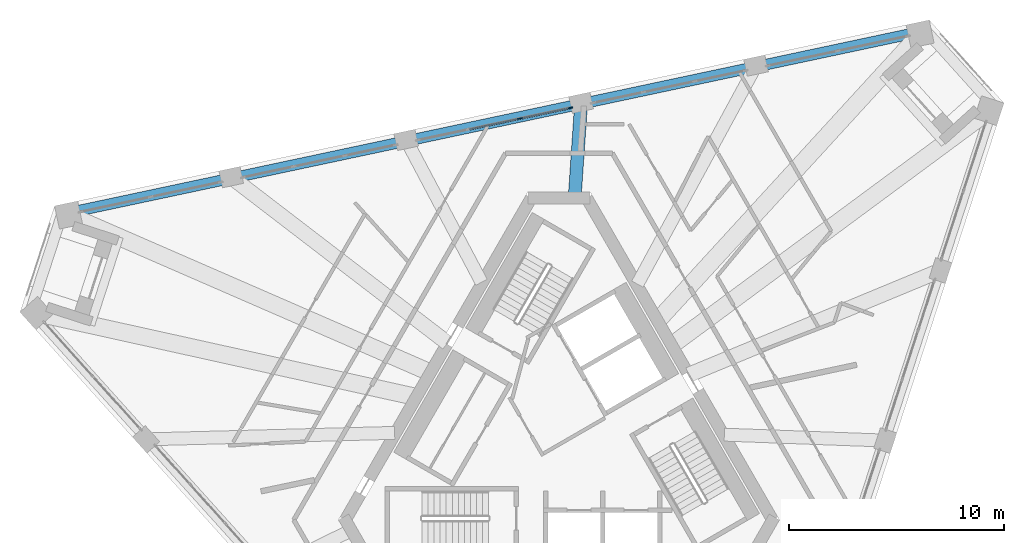
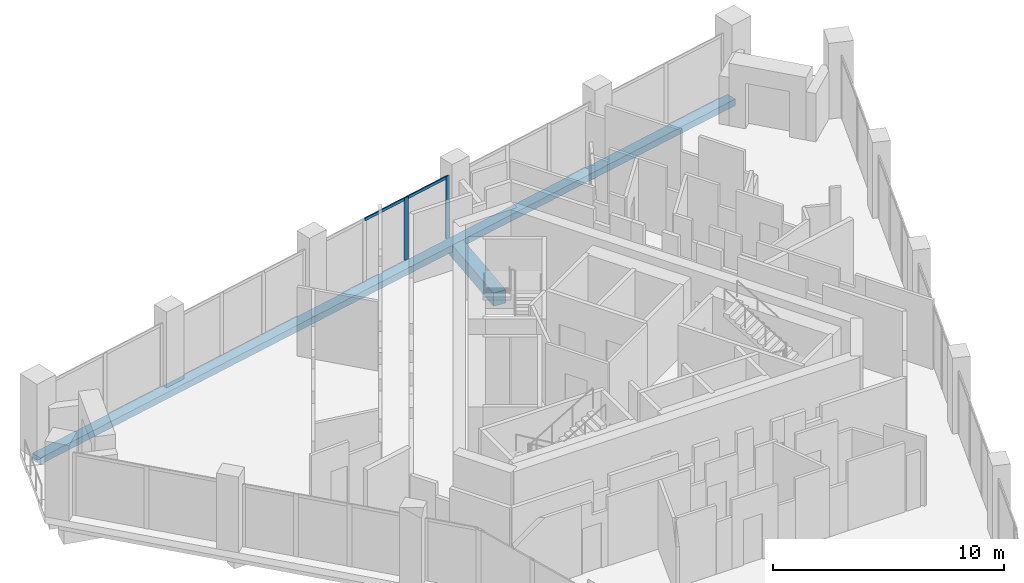
# One storey, part 7 of 17: 4 members, 2 beams, 1 element without a shape of its own.
"""IFC4 building model written with IfcOpenShell, lengths in metres."""

from ifc_helpers import new_model, si_unit, direction, frame, origin, origin_2d, place, context, subcontext, project, spatial, rectangle, extrude, material, layer, layer_set, material_profile, profile_set, type_object, element, aggregate, save


model = new_model("IFC4")

# Units and contexts
model_context = context("Model", 3, precision=1e-05, world=origin(), true_north=direction((0.0, 1.0)))
body_context = subcontext(model_context, "Body", "Model", "MODEL_VIEW")
ifc_project = project(units=[si_unit("LENGTHUNIT", "METRE"), si_unit("AREAUNIT", "SQUARE_METRE"), si_unit("VOLUMEUNIT", "CUBIC_METRE"), si_unit("PLANEANGLEUNIT", "RADIAN"), si_unit("MASSUNIT", "GRAM", prefix="KILO")], contexts=[model_context])

# Site, building, storey
site_placement = place(None, origin())
site = spatial("IfcSite", under=ifc_project, at=site_placement, CompositionType="ELEMENT")
building_placement = place(site_placement, origin())
building = spatial("IfcBuilding", under=site, at=building_placement, Name="Tramontana Tower", CompositionType="ELEMENT")
storey_placement = place(building_placement, frame((0.0, 0.0, 348.39990234375)))
storey = spatial("IfcBuildingStorey", under=building, at=storey_placement, Name="L80", CompositionType="ELEMENT", Elevation=348.39990234375)

# Curtain wall, members
ifc_material_1 = material(Name="Aluminum extrusion", Category="aluminium")
ifc_layer = layer(ifc_material_1, 0.14990234375)
ifc_layer_set = layer_set([ifc_layer], Name="CW5 Top lounge curtain wall")
curtain_wall_type = type_object("IfcCurtainWallType", Name="CW5 Top lounge curtain wall", PredefinedType="NOTDEFINED", material=ifc_layer_set)
curtain_wall_placement = place(storey_placement, origin())
curtain_wall = element("IfcCurtainWall", 1, at=curtain_wall_placement, inside=storey, type_object=curtain_wall_type, Name="CW5 curtain wall L80 face 2 bay 3", PredefinedType="NOTDEFINED")
ifc_material_2 = material(Name="Aluminum extrusion", Category="aluminium")
ifc_material_profile_1 = material_profile(ifc_material_2, rectangle(XDim=0.06005859375, YDim=0.219970703125, at=origin_2d()), Name="CW5-M Mullion 60 x 220")
ifc_profile_set_1 = profile_set([ifc_material_profile_1], Name="Aluminum extrusion")
member_type_1 = type_object("IfcMemberType", Name="CW5-M Mullion 60 x 220", PredefinedType="MULLION", material=ifc_profile_set_1)
member_1_placement = place(storey_placement, frame((0.5380859375, 14.912841796875, 0.0), z_axis=(0.0, 0.0, 1.0), x_axis=(0.207911690818, -0.978147600734, 0.0)))
member_1 = element("IfcMember", 2, at=member_1_placement, type_object=member_type_1, Name="CW5 curtain wall L80 face 2 bay 3 mullion 1", PredefinedType="MULLION", context=body_context, shape_type="SweptSolid", body=[
    extrude(rectangle(XDim=0.06005859375, YDim=0.219970703125, at=origin_2d()), origin(), (0.0, 0.0, 1.0), 3.300048828125),
])
member_2_placement = place(storey_placement, frame((-1.817138671875, 14.412109375, 0.0), z_axis=(0.0, 0.0, 1.0), x_axis=(0.207911690818, -0.978147600734, 0.0)))
member_2 = element("IfcMember", 3, at=member_2_placement, type_object=member_type_1, Name="CW5 curtain wall L80 face 2 bay 3 mullion 2", PredefinedType="MULLION", context=body_context, shape_type="SweptSolid", body=[
    extrude(rectangle(XDim=0.06005859375, YDim=0.219970703125, at=origin_2d()), origin(), (0.0, 0.0, 1.0), 3.300048828125),
])
ifc_material_3 = material(Name="Aluminum extrusion", Category="aluminium")
ifc_material_profile_2 = material_profile(ifc_material_3, rectangle(XDim=0.06005859375, YDim=0.14990234375, at=origin_2d()), Name="CW5-T Transom 60 x 150")
ifc_profile_set_2 = profile_set([ifc_material_profile_2], Name="Aluminum extrusion")
member_type_2 = type_object("IfcMemberType", Name="CW5-T Transom 60 x 150", PredefinedType="USERDEFINED", material=ifc_profile_set_2)
member_3_placement = place(storey_placement, frame((0.5087890625, 14.906494140625, 3.239990234375), z_axis=(-0.978158586648, -0.207859999438, 0.0), x_axis=(0.207859999438, -0.978158586648, 0.0)))
member_3 = element("IfcMember", 4, at=member_3_placement, type_object=member_type_2, Name="CW5 curtain wall L80 face 2 bay 3 transom 1.1", ObjectType="TRANSOM", PredefinedType="USERDEFINED", context=body_context, shape_type="SweptSolid", body=[
    extrude(rectangle(XDim=0.06005859375, YDim=0.14990234375, at=origin_2d()), origin(), (0.0, 0.0, 1.0), 2.347900390625),
])
member_4_placement = place(storey_placement, frame((-1.846435546875, 14.406005859375, 3.239990234375), z_axis=(-0.978131708406, -0.207986444294, 0.0), x_axis=(0.207986444294, -0.978131708406, 0.0)))
member_4 = element("IfcMember", 5, at=member_4_placement, type_object=member_type_2, Name="CW5 curtain wall L80 face 2 bay 3 transom 2.1", ObjectType="TRANSOM", PredefinedType="USERDEFINED", context=body_context, shape_type="SweptSolid", body=[
    extrude(rectangle(XDim=0.06005859375, YDim=0.14990234375, at=origin_2d()), origin(), (0.0, 0.0, 1.0), 2.378173828125),
])
aggregate(curtain_wall, [member_1, member_2, member_3, member_4])

# Beams
ifc_material_4 = material(Name="Concrete 40 MPa", Category="concrete")
ifc_material_profile_3 = material_profile(ifc_material_4, rectangle(XDim=0.5, YDim=0.35009765625, at=origin_2d()), Name="RC EDGE BEAM 500X350 40 MPa")
ifc_profile_set_3 = profile_set([ifc_material_profile_3], Name="Concrete 40 MPa")
beam_type_1 = type_object("IfcBeamType", Name="RC EDGE BEAM 500X350 40 MPa", PredefinedType="SPANDREL", material=ifc_profile_set_3)
beam_1_placement = place(storey_placement, frame((16.767333984375, 18.439208984375, -0.52490234375), z_axis=(-0.978146276815, -0.20791791927, 0.0), x_axis=(0.20791791927, -0.978146276815, 0.0)))
element("IfcBeam", 6, at=beam_1_placement, inside=storey, type_object=beam_type_1, Name="Spandrel beam S2 L80", PredefinedType="SPANDREL", context=body_context, shape_type="SweptSolid", body=[
    extrude(rectangle(XDim=0.5, YDim=0.35009765625, at=origin_2d()), origin(), (0.0, 0.0, 1.0), 40.469482421875),
])
ifc_material_5 = material(Name="Concrete 40 MPa", Category="concrete")
ifc_material_profile_4 = material_profile(ifc_material_5, rectangle(XDim=0.60009765625, YDim=0.699951171875, at=origin_2d()), Name="RC GIRDER 600X700 40 MPa")
ifc_profile_set_4 = profile_set([ifc_material_profile_4], Name="Concrete 40 MPa")
beam_type_2 = type_object("IfcBeamType", Name="RC GIRDER 600X700 40 MPa", PredefinedType="BEAM", material=ifc_profile_set_4)
beam_2_placement = place(storey_placement, frame((1.030517578125, 15.145263671875, -0.699951171875), z_axis=(-0.067897965918, -0.997692270304, 0.0), x_axis=(0.997692270304, -0.067897965918, 0.0)))
element("IfcBeam", 7, at=beam_2_placement, inside=storey, type_object=beam_type_2, Name="Radial girder C8F10 L80", PredefinedType="BEAM", context=body_context, shape_type="SweptSolid", body=[
    extrude(rectangle(XDim=0.60009765625, YDim=0.699951171875, at=origin_2d()), origin(), (0.0, 0.0, 1.0), 4.429931640625),
])

save(model, "model.ifc")
